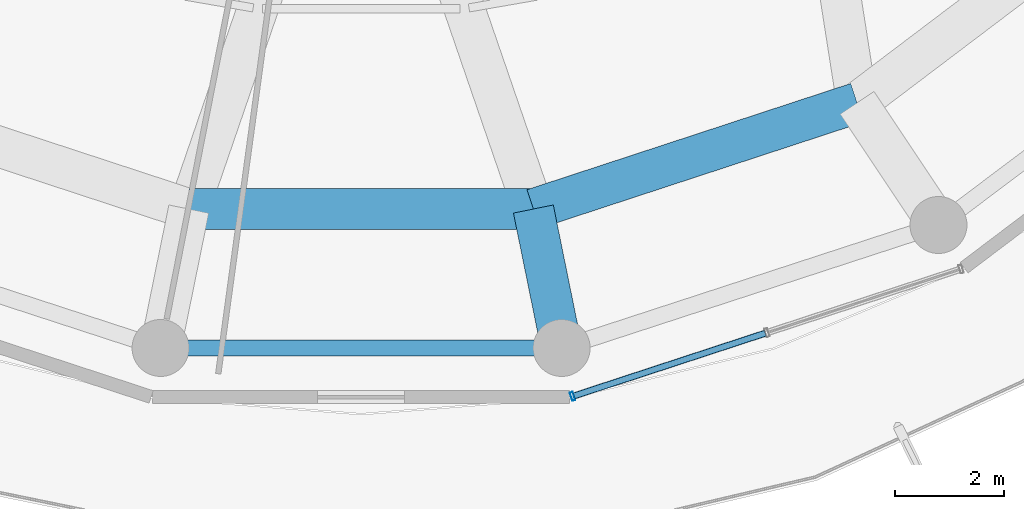
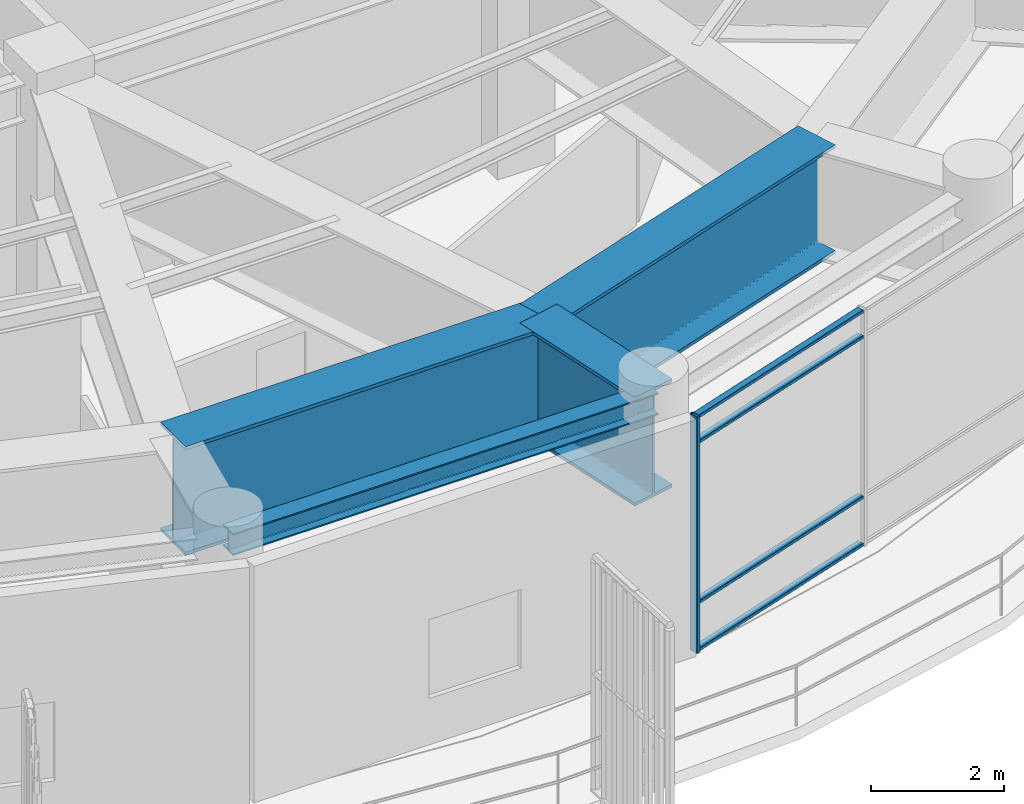
# One storey, part 4 of 29: 5 members, 4 beams, 1 element without a shape of its own.
"""IFC4 building model written with IfcOpenShell, lengths in metres."""

from ifc_helpers import new_model, si_unit, direction, frame, origin, origin_2d, place, context, subcontext, project, spatial, hollow_rectangle, i_section, extrude, material, layer, layer_set, material_profile, profile_set, type_object, element, aggregate, save


model = new_model("IFC4")

# Units and contexts
model_context = context("Model", 3, precision=1e-05, world=origin(), true_north=direction((0.0, 1.0)))
body_context = subcontext(model_context, "Body", "Model", "MODEL_VIEW")
ifc_project = project(units=[si_unit("LENGTHUNIT", "METRE"), si_unit("AREAUNIT", "SQUARE_METRE"), si_unit("VOLUMEUNIT", "CUBIC_METRE"), si_unit("PLANEANGLEUNIT", "RADIAN"), si_unit("MASSUNIT", "GRAM", prefix="KILO")], contexts=[model_context])

# Site, building, storey
site_placement = place(None, origin())
site = spatial("IfcSite", under=ifc_project, at=site_placement, CompositionType="ELEMENT")
building_placement = place(site_placement, origin())
building = spatial("IfcBuilding", under=site, at=building_placement, Name="Kelanora Arch Commons", CompositionType="ELEMENT")
storey_placement = place(building_placement, frame((0.0, 0.0, 238.199951171875)))
storey = spatial("IfcBuildingStorey", under=building, at=storey_placement, Name="L61", CompositionType="ELEMENT", Elevation=238.199951171875)

# Beams
ifc_material_1 = material(Name="Steel S355", Category="steel")
ifc_material_profile_1 = material_profile(ifc_material_1, i_section(OverallWidth=0.300048828125, OverallDepth=0.39990234375, WebThickness=0.013427734375, FlangeThickness=0.02392578125, FilletRadius=0.027099609375, at=origin_2d()), Name="HEB400")
ifc_profile_set_1 = profile_set([ifc_material_profile_1], Name="Steel S355")
beam_type_1 = type_object("IfcBeamType", Name="BM-SPN-Z4", PredefinedType="SPANDREL", material=ifc_profile_set_1)
beam_1_placement = place(storey_placement, frame((70.3046875, 39.2099609375, 4.16015625), z_axis=(1.0, 0.0, 0.0), x_axis=(0.0, 1.0, 0.0)))
element("IfcBeam", 1, at=beam_1_placement, inside=storey, type_object=beam_type_1, Name="Perimeter Spandrel Beam BS-26 L61", PredefinedType="SPANDREL", context=body_context, shape_type="SweptSolid", body=[
    extrude(i_section(OverallWidth=0.300048828125, OverallDepth=0.39990234375, WebThickness=0.013427734375, FlangeThickness=0.02392578125, FilletRadius=0.027099609375, at=origin_2d()), origin(), (0.0, 0.0, 1.0), 7.390625),
])
ifc_material_profile_2 = material_profile(ifc_material_1, i_section(OverallWidth=0.75, OverallDepth=2.0, WebThickness=0.034912109375, FlangeThickness=0.06005859375, FilletRadius=0.028076171875, at=origin_2d()), Name="PG2000x750")
ifc_profile_set_2 = profile_set([ifc_material_profile_2], Name="Steel S355")
beam_type_2 = type_object("IfcBeamType", Name="BM-XFER-SET", PredefinedType="USERDEFINED", material=ifc_profile_set_2)
beam_2_placement = place(storey_placement, frame((77.17431640625, 41.7705078125, 3.360107421875), z_axis=(0.199385185861, -0.979921194617, 0.0), x_axis=(0.979921194617, 0.199385185861, 0.0)))
element("IfcBeam", 2, at=beam_2_placement, inside=storey, type_object=beam_type_2, Name="Radial Floor Girder BR-28 L61", ObjectType="TRANSFER_GIRDER", PredefinedType="USERDEFINED", context=body_context, shape_type="SweptSolid", body=[
    extrude(i_section(OverallWidth=0.75, OverallDepth=2.0, WebThickness=0.034912109375, FlangeThickness=0.06005859375, FilletRadius=0.028076171875, at=origin_2d()), origin(), (0.0, 0.0, 1.0), 2.613037109375),
])
beam_3_placement = place(storey_placement, frame((70.82568359375, 41.7705078125, 3.360107421875), z_axis=(1.0, 0.0, 0.0), x_axis=(0.0, 1.0, 0.0)))
element("IfcBeam", 3, at=beam_3_placement, inside=storey, type_object=beam_type_2, Name="Setback Inner Transfer Ring BSI-26 L61", ObjectType="TRANSFER_GIRDER", PredefinedType="USERDEFINED", context=body_context, shape_type="SweptSolid", body=[
    extrude(i_section(OverallWidth=0.75, OverallDepth=2.0, WebThickness=0.034912109375, FlangeThickness=0.06005859375, FilletRadius=0.028076171875, at=origin_2d()), origin(), (0.0, 0.0, 1.0), 6.3486328125),
])
beam_4_placement = place(storey_placement, frame((77.17431640625, 41.7705078125, 3.360107421875), z_axis=(0.950165923039, 0.311744636996, 0.0), x_axis=(-0.311744636996, 0.950165923039, 0.0)))
element("IfcBeam", 4, at=beam_4_placement, inside=storey, type_object=beam_type_2, Name="Setback Inner Transfer Ring BSI-28 L61", ObjectType="TRANSFER_GIRDER", PredefinedType="USERDEFINED", context=body_context, shape_type="SweptSolid", body=[
    extrude(i_section(OverallWidth=0.75, OverallDepth=2.0, WebThickness=0.034912109375, FlangeThickness=0.06005859375, FilletRadius=0.028076171875, at=origin_2d()), origin(), (0.0, 0.0, 1.0), 6.278564453125),
])

# Curtain wall, members
ifc_material_2 = material(Name="Terracotta ceramic-fritted low-E glass and aluminium", Category="masonry")
ifc_layer = layer(ifc_material_2, 0.175048828125)
ifc_layer_set = layer_set([ifc_layer], Name="Terracotta ceramic-fritted low-E glass and aluminium")
curtain_wall_type = type_object("IfcCurtainWallType", Name="CW-SYS-02", PredefinedType="NOTDEFINED", material=ifc_layer_set)
curtain_wall_placement = place(storey_placement, origin())
curtain_wall = element("IfcCurtainWall", 5, at=curtain_wall_placement, inside=storey, type_object=curtain_wall_type, Name="Unitised Curtain Wall L61-B14", PredefinedType="NOTDEFINED")
ifc_material_3 = material(Name="Powder-coated aluminium terracotta", Category="masonry")
ifc_material_profile_3 = material_profile(ifc_material_3, hollow_rectangle(XDim=0.159912109375, YDim=0.06005859375, WallThickness=0.0048828125, InnerFilletRadius=0.0048828125, OuterFilletRadius=0.010009765625, at=origin_2d()), Name="CWM160x60")
ifc_profile_set_3 = profile_set([ifc_material_profile_3], Name="Powder-coated aluminium terracotta")
member_type_1 = type_object("IfcMemberType", Name="CWM-STD", PredefinedType="MULLION", material=ifc_profile_set_3)
member_1_placement = place(storey_placement, frame((77.897705078125, 38.31787109375, 0.0), z_axis=(0.0, 0.0, 1.0), x_axis=(-0.311582439059, 0.950219124029, 0.0)))
member_1 = element("IfcMember", 6, at=member_1_placement, type_object=member_type_1, Name="CW-02 mullion 1", PredefinedType="MULLION", context=body_context, shape_type="SweptSolid", body=[
    extrude(hollow_rectangle(XDim=0.159912109375, YDim=0.06005859375, WallThickness=0.0048828125, InnerFilletRadius=0.0048828125, OuterFilletRadius=0.010009765625, at=origin_2d()), origin(), (0.0, 0.0, 1.0), 4.344970703125),
])
ifc_material_profile_4 = material_profile(ifc_material_3, hollow_rectangle(XDim=0.1201171875, YDim=0.06005859375, WallThickness=0.0048828125, InnerFilletRadius=0.0048828125, OuterFilletRadius=0.010009765625, at=origin_2d()), Name="CWT120x60")
ifc_profile_set_4 = profile_set([ifc_material_profile_4], Name="Powder-coated aluminium terracotta")
member_type_2 = type_object("IfcMemberType", Name="CWT-STD", PredefinedType="USERDEFINED", material=ifc_profile_set_4)
member_2_placement = place(storey_placement, frame((77.92626953125, 38.3271484375, 0.030029296875), z_axis=(0.950206527055, 0.311620852867, 0.0), x_axis=(-0.311620852867, 0.950206527055, 0.0)))
member_2 = element("IfcMember", 7, at=member_2_placement, type_object=member_type_2, Name="CW-02 transom 1.1", ObjectType="TRANSOM", PredefinedType="USERDEFINED", context=body_context, shape_type="SweptSolid", body=[
    extrude(hollow_rectangle(XDim=0.1201171875, YDim=0.06005859375, WallThickness=0.0048828125, InnerFilletRadius=0.0048828125, OuterFilletRadius=0.010009765625, at=origin_2d()), origin(), (0.0, 0.0, 1.0), 3.707275390625),
])
member_3_placement = place(storey_placement, frame((77.92626953125, 38.3271484375, 0.900146484375), z_axis=(0.950206527055, 0.311620852867, 0.0), x_axis=(-0.311620852867, 0.950206527055, 0.0)))
member_3 = element("IfcMember", 8, at=member_3_placement, type_object=member_type_2, Name="CW-02 transom 1.2", ObjectType="TRANSOM", PredefinedType="USERDEFINED", context=body_context, shape_type="SweptSolid", body=[
    extrude(hollow_rectangle(XDim=0.1201171875, YDim=0.06005859375, WallThickness=0.0048828125, InnerFilletRadius=0.0048828125, OuterFilletRadius=0.010009765625, at=origin_2d()), origin(), (0.0, 0.0, 1.0), 3.707275390625),
])
member_4_placement = place(storey_placement, frame((77.92626953125, 38.3271484375, 3.844970703125), z_axis=(0.950206527055, 0.311620852867, 0.0), x_axis=(-0.311620852867, 0.950206527055, 0.0)))
member_4 = element("IfcMember", 9, at=member_4_placement, type_object=member_type_2, Name="CW-02 transom 1.3", ObjectType="TRANSOM", PredefinedType="USERDEFINED", context=body_context, shape_type="SweptSolid", body=[
    extrude(hollow_rectangle(XDim=0.1201171875, YDim=0.06005859375, WallThickness=0.0048828125, InnerFilletRadius=0.0048828125, OuterFilletRadius=0.010009765625, at=origin_2d()), origin(), (0.0, 0.0, 1.0), 3.707275390625),
])
member_5_placement = place(storey_placement, frame((77.92626953125, 38.3271484375, 4.31494140625), z_axis=(0.950206527055, 0.311620852867, 0.0), x_axis=(-0.311620852867, 0.950206527055, 0.0)))
member_5 = element("IfcMember", 10, at=member_5_placement, type_object=member_type_2, Name="CW-02 transom 1.4", ObjectType="TRANSOM", PredefinedType="USERDEFINED", context=body_context, shape_type="SweptSolid", body=[
    extrude(hollow_rectangle(XDim=0.1201171875, YDim=0.06005859375, WallThickness=0.0048828125, InnerFilletRadius=0.0048828125, OuterFilletRadius=0.010009765625, at=origin_2d()), origin(), (0.0, 0.0, 1.0), 3.707275390625),
])
aggregate(curtain_wall, [member_1, member_2, member_3, member_4, member_5])

save(model, "model.ifc")
